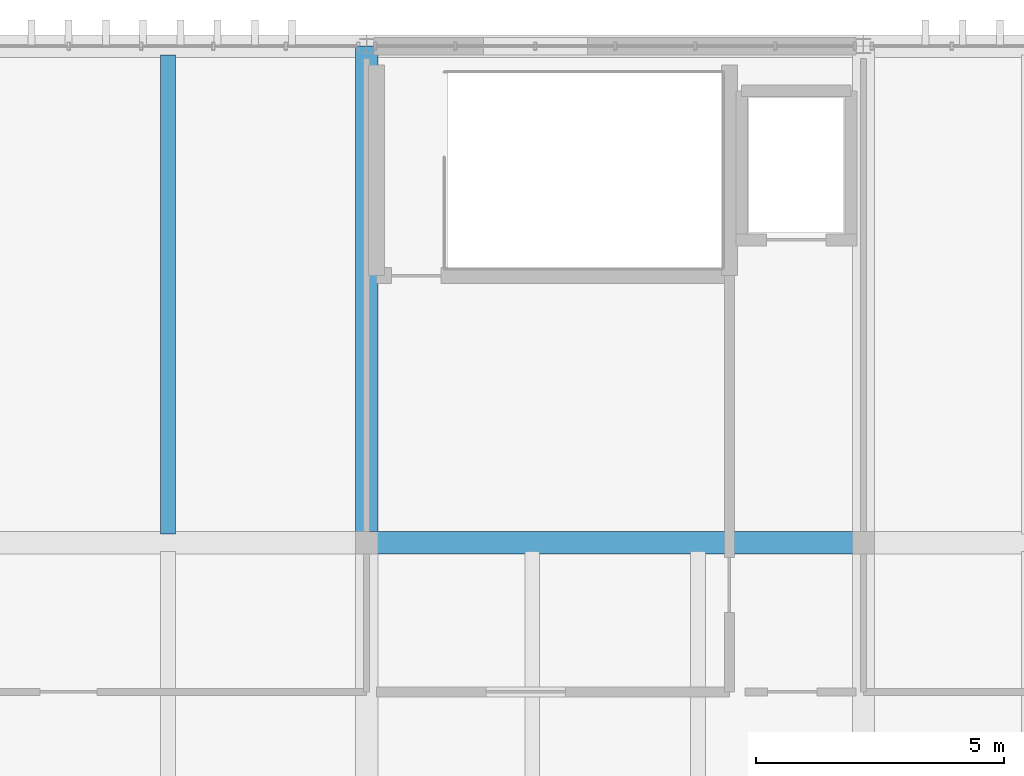
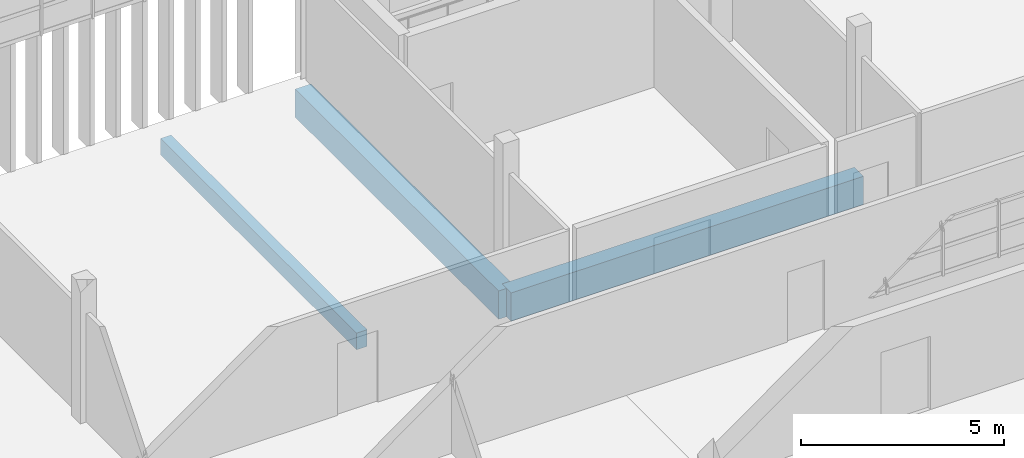
# One storey, part 21 of 36: 3 beams.
"""IFC4 building model written with IfcOpenShell, lengths in metres."""

import ifcopenshell
import ifcopenshell.guid

model = None  # the IFC model being written
_history = None  # IfcOwnerHistory: only IFC2X3 demands one
_inside = {}  # id of a spatial element -> (the spatial element, [elements in it])
_under = {}  # id of a project, library or spatial element -> (it, [spatial elements below it])
_declared = {}  # id of a project -> (the project, [libraries it declares])
_typed = {}  # id of a type object -> (the type object, [elements of that type])
_made_of = {}  # id of a material, layer set ... -> (it, [elements and type objects made of it])


def new_model(schema):
    """Start an empty IFC model of exactly this schema.

    Asked for "IFC4X3", IfcOpenShell would pick the latest addendum, in which some entities
    have other attributes; the version numbers below select the first issue.
    IFC2X3 requires an IfcOwnerHistory on every rooted entity: one is made here for all.
    """
    global model, _history
    if schema == "IFC4X3":
        model = ifcopenshell.file(schema_version=(4, 3, 0, 0))
    else:
        model = ifcopenshell.file(schema=schema)
    _inside.clear()
    _under.clear()
    _declared.clear()
    _typed.clear()
    _made_of.clear()
    _history = None
    if model.schema == "IFC2X3":
        org = make("IfcOrganization", Name="unknown")
        user = make(
            "IfcPersonAndOrganization",
            ThePerson=make("IfcPerson", FamilyName="unknown"),
            TheOrganization=org,
        )
        app = make(
            "IfcApplication",
            ApplicationDeveloper=org,
            Version="unknown",
            ApplicationFullName="unknown",
            ApplicationIdentifier="unknown",
        )
        _history = make(
            "IfcOwnerHistory",
            OwningUser=user,
            OwningApplication=app,
            ChangeAction="ADDED",
            CreationDate=0,
        )
    return model


def make(cls, **values):
    """One entity of the class cls with the attributes given. An attribute that is None is left unset."""
    return model.create_entity(
        cls, **{name: value for name, value in values.items() if value is not None}
    )


def rooted(cls, **values):
    """An entity with a GlobalId (a new one), such as an element, a storey or a relation."""
    return make(cls, GlobalId=ifcopenshell.guid.new(), OwnerHistory=_history, **values)


def si_unit(unit_type, name, prefix=None):
    """IfcSIUnit, for example si_unit("LENGTHUNIT", "METRE", prefix="MILLI")."""
    return make("IfcSIUnit", UnitType=unit_type, Prefix=prefix, Name=name)


def assignment(units):
    """IfcUnitAssignment: the units of a project."""
    return None if units is None else make("IfcUnitAssignment", Units=units)


def point(xyz):
    """IfcCartesianPoint."""
    return None if xyz is None else make("IfcCartesianPoint", Coordinates=xyz)


def direction(xyz):
    """IfcDirection."""
    return None if xyz is None else make("IfcDirection", DirectionRatios=xyz)


def frame(location, z_axis=None, x_axis=None):
    """IfcAxis2Placement3D, a coordinate frame: its origin and axes. An axis left out is left unset."""
    return make(
        "IfcAxis2Placement3D",
        Location=point(location),
        Axis=direction(z_axis),
        RefDirection=direction(x_axis),
    )


def frame_2d(location, x_axis=None):
    """IfcAxis2Placement2D, a coordinate frame in the plane: its origin and x axis."""
    return make(
        "IfcAxis2Placement2D", Location=point(location), RefDirection=direction(x_axis)
    )


def origin():
    """The frame at (0, 0, 0) with its axes left unset."""
    return frame((0.0, 0.0, 0.0))


def origin_2d():
    """The frame at (0, 0) in the plane with its x axis left unset."""
    return frame_2d((0.0, 0.0))


def place(relative_to, where):
    """IfcLocalPlacement: puts the frame where relative to a parent placement (None: the world)."""
    return make(
        "IfcLocalPlacement", PlacementRelTo=relative_to, RelativePlacement=where
    )


def context(
    kind, dimensions, precision=None, world=None, true_north=None, identifier=None
):
    """IfcGeometricRepresentationContext, for example the 3D "Model" context."""
    return make(
        "IfcGeometricRepresentationContext",
        ContextIdentifier=identifier,
        ContextType=kind,
        CoordinateSpaceDimension=dimensions,
        Precision=precision,
        WorldCoordinateSystem=world,
        TrueNorth=true_north,
    )


def subcontext(parent, identifier, kind, view, scale=None):
    """IfcGeometricRepresentationSubContext, for example "Body" below "Model"."""
    return make(
        "IfcGeometricRepresentationSubContext",
        ContextIdentifier=identifier,
        ContextType=kind,
        ParentContext=parent,
        TargetScale=scale,
        TargetView=view,
    )


def project(units=None, contexts=None):
    """IfcProject with its units and contexts."""
    return rooted(
        "IfcProject",
        Name="project",
        RepresentationContexts=contexts,
        UnitsInContext=assignment(units),
    )


def spatial(cls, under=None, at=None, **own):
    """A site, building, storey or space (cls), placed at a placement, below another one or the project."""
    s = rooted(cls, ObjectPlacement=at, **own)
    if under is not None:
        _under.setdefault(under.id(), (under, []))[1].append(s)
    return s


def profile(cls, at=None, kind="AREA", **sizes):
    """A parametric profile (cls). Its sizes go by their IFC names, for example OverallWidth=200.0."""
    return make(cls, ProfileType=kind, Position=at, **sizes)


def rectangle(**sizes):
    """IfcRectangleProfileDef."""
    return profile("IfcRectangleProfileDef", **sizes)


def extrude(swept, where, along, depth):
    """IfcExtrudedAreaSolid: the profile swept, set in the frame where, extruded along a direction by depth."""
    return make(
        "IfcExtrudedAreaSolid",
        SweptArea=swept,
        Position=where,
        ExtrudedDirection=direction(along),
        Depth=depth,
    )


def shape(context_of_items, identifier, shape_type, items):
    """IfcShapeRepresentation: the items that make up one representation, for example the "Body"."""
    return make(
        "IfcShapeRepresentation",
        ContextOfItems=context_of_items,
        RepresentationIdentifier=identifier,
        RepresentationType=shape_type,
        Items=items,
    )


def material(Name=None, Category=None):
    """IfcMaterial."""
    return make("IfcMaterial", Name=Name, Category=Category)


def material_profile(
    of_material, cross_section, Name=None, Category=None, Priority=None
):
    """IfcMaterialProfile: a cross section and its material."""
    return make(
        "IfcMaterialProfile",
        Name=Name,
        Material=of_material,
        Profile=cross_section,
        Priority=Priority,
        Category=Category,
    )


def profile_set(profiles, Name=None, composite=None):
    """IfcMaterialProfileSet."""
    return make(
        "IfcMaterialProfileSet",
        Name=Name,
        MaterialProfiles=profiles,
        CompositeProfile=composite,
    )


def made_of(thing, what):
    """Note that an element or type object is made of a material, layer set ...; save() writes the relation."""
    if what is not None:
        _made_of.setdefault(what.id(), (what, []))[1].append(thing)
    return thing


def type_object(cls, material=None, **own):
    """A type object (cls), such as IfcWallType, which elements share."""
    return made_of(rooted(cls, **own), material)


def element(
    cls,
    number,
    at=None,
    inside=None,
    cuts=None,
    type_object=None,
    material=None,
    context=None,
    identifier="Body",
    shape_type=None,
    held_by="IfcProductDefinitionShape",
    body=None,
    shapes=None,
    **own,
):
    """One element of the class cls, such as IfcWall. Its Tag is "e" and its number.

    at: its placement. inside: the storey or other place that contains it. cuts: it is an
    opening in that element (IfcRelVoidsElement). A single representation is given by context,
    identifier, shape_type and body (its items); several are given by shapes. held_by: the class
    of the entity that holds the representations. save() writes the other relations.
    """
    e = rooted(cls, Tag="e%d" % number, ObjectPlacement=at, **own)
    if body is not None:
        shapes = [shape(context, identifier, shape_type, body)]
    if shapes is not None:
        e.Representation = make(held_by, Representations=shapes)
    if inside is not None:
        _inside.setdefault(inside.id(), (inside, []))[1].append(e)
    if cuts is not None:
        rooted(
            "IfcRelVoidsElement", RelatingBuildingElement=cuts, RelatedOpeningElement=e
        )
    if type_object is not None:
        _typed.setdefault(type_object.id(), (type_object, []))[1].append(e)
    return made_of(e, material)


def aggregate(whole, parts):
    """IfcRelAggregates: a whole, such as a stair, and the parts it consists of."""
    return rooted("IfcRelAggregates", RelatingObject=whole, RelatedObjects=parts)


def save(model, path):
    """Write the relations noted so far, then the file.

    IfcRelAggregates (storeys below a building ...), IfcRelContainedInSpatialStructure (elements
    in a storey), IfcRelDefinesByType, IfcRelAssociatesMaterial and IfcRelDeclares: one each for
    every whole, place, type object, material and project.
    """
    for whole, parts in _under.values():
        aggregate(whole, parts)
    for where, things in _inside.values():
        rooted(
            "IfcRelContainedInSpatialStructure",
            RelatedElements=things,
            RelatingStructure=where,
        )
    for kind, things in _typed.values():
        rooted("IfcRelDefinesByType", RelatedObjects=things, RelatingType=kind)
    for what, things in _made_of.values():
        rooted("IfcRelAssociatesMaterial", RelatedObjects=things, RelatingMaterial=what)
    for by, libraries in _declared.values():
        rooted("IfcRelDeclares", RelatingContext=by, RelatedDefinitions=libraries)
    model.write(path)


model = new_model("IFC4")

# Units and contexts
model_context = context("Model", 3, precision=1e-05, world=origin(), true_north=direction((0.0, 1.0)))
body_context = subcontext(model_context, "Body", "Model", "MODEL_VIEW")
ifc_project = project(units=[si_unit("LENGTHUNIT", "METRE"), si_unit("AREAUNIT", "SQUARE_METRE"), si_unit("VOLUMEUNIT", "CUBIC_METRE"), si_unit("PLANEANGLEUNIT", "RADIAN"), si_unit("MASSUNIT", "GRAM", prefix="KILO")], contexts=[model_context])

# Site, building, storey
site_placement = place(None, origin())
site = spatial("IfcSite", under=ifc_project, at=site_placement, CompositionType="ELEMENT")
building_placement = place(site_placement, origin())
building = spatial("IfcBuilding", under=site, at=building_placement, Name="Mersad Railyard Sports Hall", CompositionType="ELEMENT")
storey_placement = place(building_placement, frame((0.0, 0.0, 21.60009765625)))
storey = spatial("IfcBuildingStorey", under=building, at=storey_placement, Name="L05", CompositionType="ELEMENT", Elevation=21.60009765625)

# Beams
ifc_material = material(Name="Concrete C40/50", Category="concrete")
ifc_material_profile_1 = material_profile(ifc_material, rectangle(XDim=0.449951171875, YDim=0.85009765625, at=origin_2d()), Name="RC 450x850")
ifc_profile_set_1 = profile_set([ifc_material_profile_1], Name="Concrete C40/50")
beam_type_1 = type_object("IfcBeamType", Name="STR-BM-B02", PredefinedType="BEAM", material=ifc_profile_set_1)
for number, where, z_axis, x_axis, name in (
    (1, (91.0, 105.0, -0.775146484375), (1.0, 0.0, 0.0), (0.0, 1.0, 0.0), "Beam B02-1418"),
    (2, (91.0, 105.0, -0.775146484375), (0.0, 1.0, 0.0), (-1.0, 0.0, 0.0), "Beam B02-1438"),
):
    element("IfcBeam", number, at=place(storey_placement, frame(where, z_axis=z_axis, x_axis=x_axis)), inside=storey, type_object=beam_type_1, Name=name, PredefinedType="BEAM", context=body_context, shape_type="SweptSolid", body=[
        extrude(rectangle(XDim=0.449951171875, YDim=0.85009765625, at=origin_2d()), origin(), (0.0, 0.0, 1.0), 10.0),
    ])
ifc_material_profile_2 = material_profile(ifc_material, rectangle(XDim=0.300048828125, YDim=0.5, at=origin_2d()), Name="RC 300x500")
ifc_profile_set_2 = profile_set([ifc_material_profile_2], Name="Concrete C40/50")
beam_type_2 = type_object("IfcBeamType", Name="STR-BM-LN01", PredefinedType="LINTEL", material=ifc_profile_set_2)
beam_placement = place(storey_placement, frame((87.0, 105.179931640625, -0.60009765625), z_axis=(0.0, 1.0, 0.0), x_axis=(-1.0, 0.0, 0.0)))
element("IfcBeam", 3, at=beam_placement, inside=storey, type_object=beam_type_2, Name="Beam LN01-1464", PredefinedType="LINTEL", context=body_context, shape_type="SweptSolid", body=[
    extrude(rectangle(XDim=0.300048828125, YDim=0.5, at=origin_2d()), origin(), (0.0, 0.0, 1.0), 9.64013671875),
])

save(model, "model.ifc")
